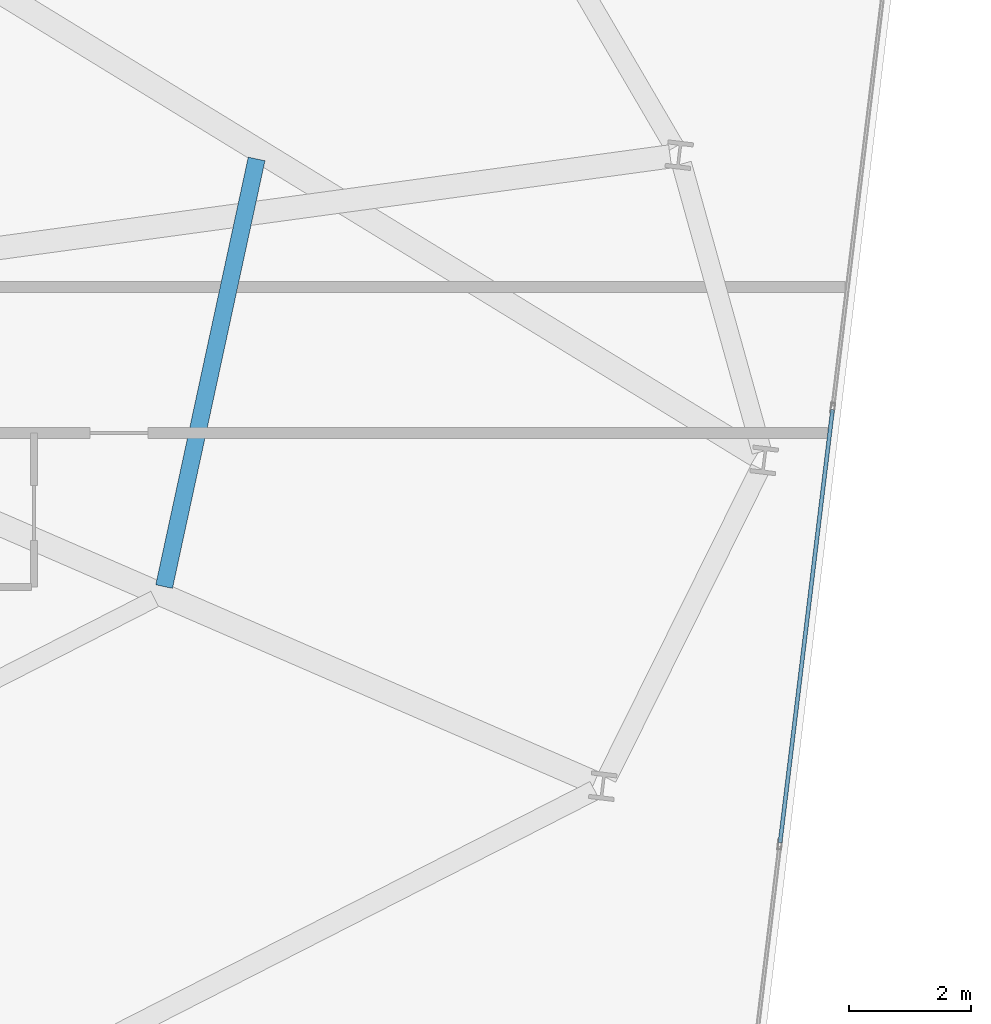
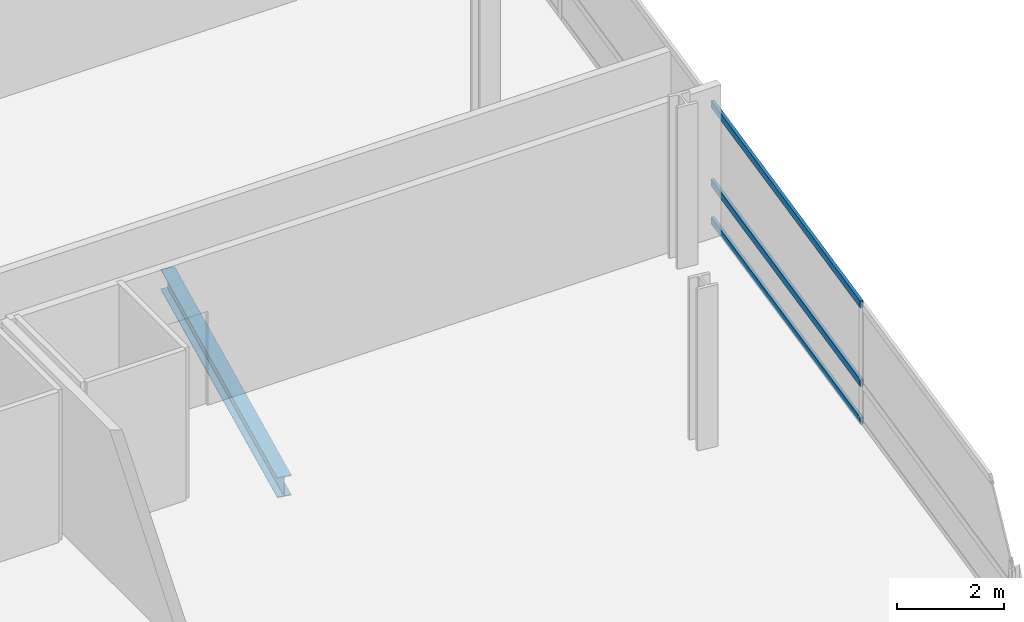
# One storey, part 15 of 26: 3 members, 1 beam, 1 element without a shape of its own.
"""IFC4 building model written with IfcOpenShell, lengths in metres."""

from ifc_helpers import new_model, si_unit, direction, frame, origin, origin_2d, place, context, subcontext, project, spatial, hollow_rectangle, i_section, extrude, material, layer, layer_set, material_profile, profile_set, type_object, element, aggregate, save


model = new_model("IFC4")

# Units and contexts
model_context = context("Model", 3, precision=1e-05, world=origin(), true_north=direction((0.0, 1.0)))
body_context = subcontext(model_context, "Body", "Model", "MODEL_VIEW")
ifc_project = project(units=[si_unit("LENGTHUNIT", "METRE"), si_unit("AREAUNIT", "SQUARE_METRE"), si_unit("VOLUMEUNIT", "CUBIC_METRE"), si_unit("PLANEANGLEUNIT", "RADIAN"), si_unit("MASSUNIT", "GRAM", prefix="KILO")], contexts=[model_context])

# Site, building, storey
site_placement = place(None, origin())
site = spatial("IfcSite", under=ifc_project, at=site_placement, CompositionType="ELEMENT")
building_placement = place(site_placement, origin())
building = spatial("IfcBuilding", under=site, at=building_placement, Name="Varnelok Gate Tower", CompositionType="ELEMENT")
storey_placement = place(building_placement, frame((0.0, 0.0, 129.10009765625)))
storey = spatial("IfcBuildingStorey", under=building, at=storey_placement, Name="L32", CompositionType="ELEMENT", Elevation=129.10009765625)

# Beam
ifc_material_1 = material(Name="Structural Steel ASTM A992 Grade 50", Category="steel")
ifc_material_profile_1 = material_profile(ifc_material_1, i_section(OverallWidth=0.280029296875, OverallDepth=0.462890625, WebThickness=0.0107421875, FlangeThickness=0.017333984375, FilletRadius=0.014892578125, at=origin_2d()), Name="W18X76")
ifc_profile_set_1 = profile_set([ifc_material_profile_1], Name="Structural Steel ASTM A992 Grade 50")
beam_type = type_object("IfcBeamType", Name="BM-JST-W18X76", PredefinedType="JOIST", material=ifc_profile_set_1)
beam_placement = place(storey_placement, frame((64.616455078125, 14.340087890625, -0.481689453125), z_axis=(0.211387389946, 0.977402358997, 0.0), x_axis=(-0.977402358997, 0.211387389946, 0.0)))
element("IfcBeam", 1, at=beam_placement, inside=storey, type_object=beam_type, Name="L32 Sector Floor Joist 6", PredefinedType="JOIST", context=body_context, shape_type="SweptSolid", body=[
    extrude(i_section(OverallWidth=0.280029296875, OverallDepth=0.462890625, WebThickness=0.0107421875, FlangeThickness=0.017333984375, FilletRadius=0.014892578125, at=origin_2d()), origin(), (0.0, 0.0, 1.0), 7.158447265625),
])

# Curtain wall, members
ifc_material_2 = material(Name="Anodized Aluminum Alloy 6063-T6", Category="aluminium")
ifc_layer = layer(ifc_material_2, 0.179931640625)
ifc_layer_set = layer_set([ifc_layer], Name="Anodized Aluminum Alloy 6063-T6")
curtain_wall_type = type_object("IfcCurtainWallType", Name="CW3-HOTEL-VISION", PredefinedType="USERDEFINED", material=ifc_layer_set)
curtain_wall_placement = place(storey_placement, origin())
curtain_wall = element("IfcCurtainWall", 2, at=curtain_wall_placement, inside=storey, type_object=curtain_wall_type, Name="L32 East End Vision Curtain Wall", ObjectType="UNITISED CURTAIN WALL", PredefinedType="USERDEFINED")
ifc_material_profile_2 = material_profile(ifc_material_2, hollow_rectangle(XDim=0.06494140625, YDim=0.159912109375, WallThickness=0.00390625, at=origin_2d()), Name="ALU160X65X4")
ifc_profile_set_2 = profile_set([ifc_material_profile_2], Name="Anodized Aluminum Alloy 6063-T6")
member_type = type_object("IfcMemberType", Name="CW-TRAN-160", PredefinedType="USERDEFINED", material=ifc_profile_set_2)
member_1_placement = place(storey_placement, frame((75.553466796875, 17.23388671875, 0.032470703125), z_axis=(-0.120340564253, -0.992732667235, 0.0), x_axis=(0.992732667235, -0.120340564253, 0.0)))
member_1 = element("IfcMember", 3, at=member_1_placement, type_object=member_type, Name="CW3 transom 4.1", ObjectType="TRANSOM", PredefinedType="USERDEFINED", context=body_context, shape_type="SweptSolid", body=[
    extrude(hollow_rectangle(XDim=0.06494140625, YDim=0.159912109375, WallThickness=0.00390625, at=origin_2d()), origin(), (0.0, 0.0, 1.0), 7.135009765625),
])
member_2_placement = place(storey_placement, frame((75.553466796875, 17.23388671875, 0.89990234375), z_axis=(-0.120340564253, -0.992732667235, 0.0), x_axis=(0.992732667235, -0.120340564253, 0.0)))
member_2 = element("IfcMember", 4, at=member_2_placement, type_object=member_type, Name="CW3 transom 4.2", ObjectType="TRANSOM", PredefinedType="USERDEFINED", context=body_context, shape_type="SweptSolid", body=[
    extrude(hollow_rectangle(XDim=0.06494140625, YDim=0.159912109375, WallThickness=0.00390625, at=origin_2d()), origin(), (0.0, 0.0, 1.0), 7.135009765625),
])
member_3_placement = place(storey_placement, frame((75.553466796875, 17.23388671875, 2.697509765625), z_axis=(-0.120340564253, -0.992732667235, 0.0), x_axis=(0.992732667235, -0.120340564253, 0.0)))
member_3 = element("IfcMember", 5, at=member_3_placement, type_object=member_type, Name="CW3 transom 4.3", ObjectType="TRANSOM", PredefinedType="USERDEFINED", context=body_context, shape_type="SweptSolid", body=[
    extrude(hollow_rectangle(XDim=0.06494140625, YDim=0.159912109375, WallThickness=0.00390625, at=origin_2d()), origin(), (0.0, 0.0, 1.0), 7.135009765625),
])
aggregate(curtain_wall, [member_1, member_2, member_3])

save(model, "model.ifc")
